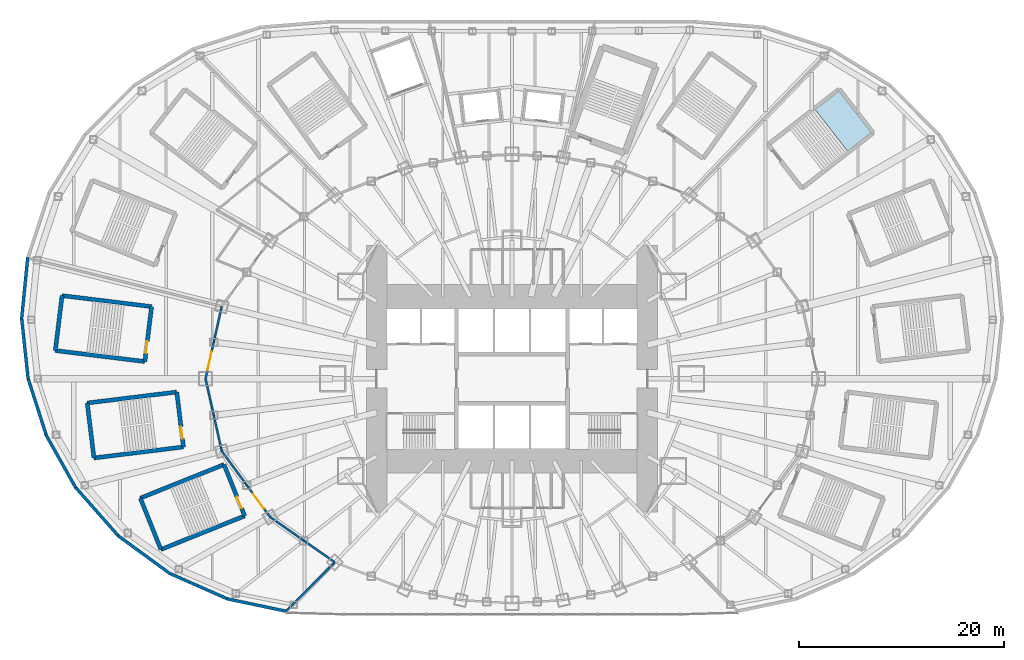
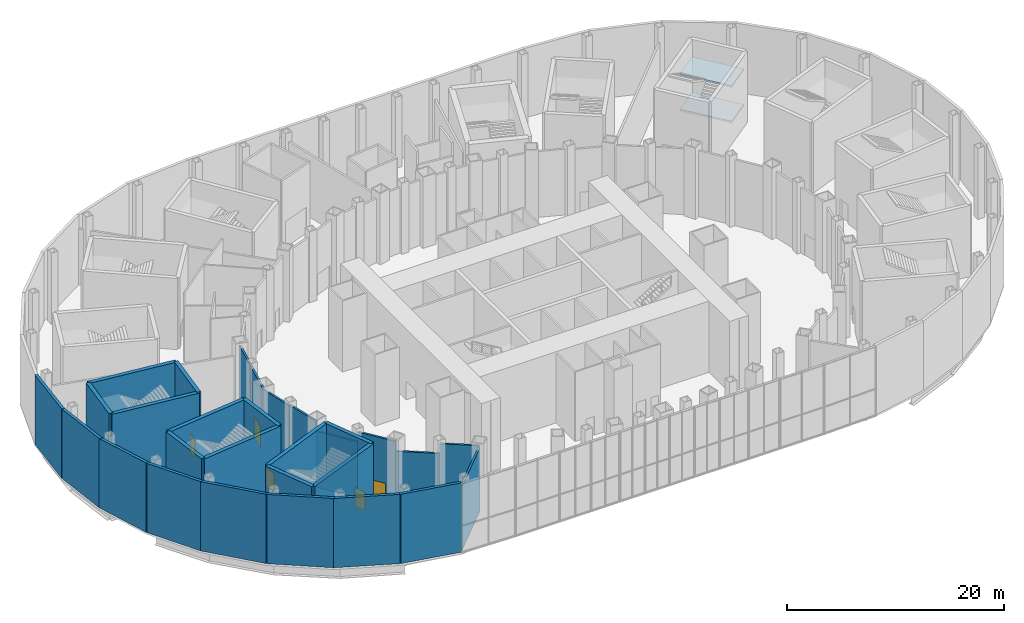
# One storey, part 13 of 74: 29 walls, 5 doors, 2 slabs, 5 openings, 1 element without a shape of its own.
"""IFC4 building model written with IfcOpenShell, lengths in metres."""

from ifc_helpers import new_model, si_unit, direction, frame, frame_2d, origin, place, context, subcontext, project, spatial, polyline, rectangle, outline, extrude, material, layer, layer_set, type_object, element, fill, aggregate, save


model = new_model("IFC4")

# Units and contexts
model_context = context("Model", 3, precision=1e-05, world=origin(), true_north=direction((0.0, 1.0)))
body_context = subcontext(model_context, "Body", "Model", "MODEL_VIEW")
ifc_project = project(units=[si_unit("LENGTHUNIT", "METRE"), si_unit("AREAUNIT", "SQUARE_METRE"), si_unit("VOLUMEUNIT", "CUBIC_METRE"), si_unit("PLANEANGLEUNIT", "RADIAN"), si_unit("MASSUNIT", "GRAM", prefix="KILO")], contexts=[model_context])

# Site, building, storey
site_placement = place(None, origin())
site = spatial("IfcSite", under=ifc_project, at=site_placement, CompositionType="ELEMENT")
building_placement = place(site_placement, origin())
building = spatial("IfcBuilding", under=site, at=building_placement, Name="Lantaw Convention Tower", CompositionType="ELEMENT")
storey_placement = place(building_placement, frame((0.0, 0.0, 6.5)))
storey = spatial("IfcBuildingStorey", under=building, at=storey_placement, Name="L01", CompositionType="ELEMENT", Elevation=6.5)

# Stair, slabs
ifc_material_1 = material(Name="Concrete C35/45", Category="concrete")
stair_type = type_object("IfcStairType", Name="Exit stair 2400 riser 166.67 in 4 flights", PredefinedType="HALF_TURN_STAIR", material=ifc_material_1)
stair_placement = place(storey_placement, origin())
stair = element("IfcStair", 1, at=stair_placement, inside=storey, type_object=stair_type, Name="Podium exit stair P3 L01", PredefinedType="HALF_TURN_STAIR")
ifc_layer_1 = layer(ifc_material_1, 0.199951171875)
ifc_layer_set_1 = layer_set([ifc_layer_1], Name="Stair landing 200")
slab_type = type_object("IfcSlabType", Name="Stair landing 200", PredefinedType="LANDING", material=ifc_layer_set_1)
slab_1_placement = place(storey_placement, frame((0.0, 0.0, 1.800048828125)))
slab_1 = element("IfcSlab", 2, at=slab_1_placement, type_object=slab_type, Name="P3 landing 2", PredefinedType="LANDING", context=body_context, shape_type="SweptSolid", body=[
    extrude(outline(polyline([(32.74072265625, 22.1943359375), (35.07080078125, 24.006591796875), (31.903076171875, 28.07958984375), (29.57275390625, 26.267333984375), (32.74072265625, 22.1943359375)])), origin(), (0.0, 0.0, 1.0), 0.199951171875),
])
slab_2_placement = place(storey_placement, frame((0.0, 0.0, 5.800048828125)))
slab_2 = element("IfcSlab", 3, at=slab_2_placement, type_object=slab_type, Name="P3 landing 4", PredefinedType="LANDING", context=body_context, shape_type="SweptSolid", body=[
    extrude(outline(polyline([(32.74072265625, 22.1943359375), (35.07080078125, 24.006591796875), (31.903076171875, 28.07958984375), (29.57275390625, 26.267333984375), (32.74072265625, 22.1943359375)])), origin(), (0.0, 0.0, 1.0), 0.199951171875),
])
aggregate(stair, [slab_1, slab_2])

# Walls
ifc_material_2 = material(Name="Precast concrete panel, pale aluminium rainscreen", Category="concrete")
ifc_layer_2 = layer(ifc_material_2, 0.300048828125)
ifc_layer_set_2 = layer_set([ifc_layer_2], Name="Podium external wall 300")
wall_type_1 = type_object("IfcWallType", Name="Podium external wall 300", PredefinedType="SOLIDWALL", material=ifc_layer_set_2)
wall_1_placement = place(storey_placement, frame((-47.256591796875, 11.845458984375, 0.0), z_axis=(0.0, 0.0, 1.0), x_axis=(-0.099051198898, -0.9950823383, 0.0)))
element("IfcWall", 4, at=wall_1_placement, inside=storey, type_object=wall_type_1, Name="Podium facade wall", PredefinedType="SOLIDWALL", context=body_context, shape_type="SweptSolid", body=[
    extrude(rectangle(XDim=6.036376953125, YDim=0.300048828125, at=frame_2d((3.01806640625, 0.0))), origin(), (0.0, 0.0, 1.0), 7.800048828125),
])
wall_2_placement = place(storey_placement, frame((-47.85498046875, 5.94921875, 0.0), z_axis=(0.0, 0.0, 1.0), x_axis=(0.105835648981, -0.99438363593, 0.0)))
element("IfcWall", 5, at=wall_2_placement, inside=storey, type_object=wall_type_1, Name="Podium facade wall", PredefinedType="SOLIDWALL", context=body_context, shape_type="SweptSolid", body=[
    extrude(rectangle(XDim=6.0068359375, YDim=0.300048828125, at=frame_2d((3.00341796875, 0.0))), origin(), (0.0, 0.0, 1.0), 7.800048828125),
])
wall_3_placement = place(storey_placement, frame((-47.241943359375, 0.083740234375, 0.0), z_axis=(0.0, 0.0, 1.0), x_axis=(0.304991367091, -0.95235511549, 0.0)))
element("IfcWall", 6, at=wall_3_placement, inside=storey, type_object=wall_type_1, Name="Podium facade wall", PredefinedType="SOLIDWALL", context=body_context, shape_type="SweptSolid", body=[
    extrude(rectangle(XDim=5.956298828125, YDim=0.300048828125, at=frame_2d((2.97802734375, 0.0))), origin(), (0.0, 0.0, 1.0), 7.800048828125),
])
wall_4_placement = place(storey_placement, frame((-45.46923828125, -5.48828125, 0.0), z_axis=(0.0, 0.0, 1.0), x_axis=(0.489563544979, -0.871967622924, 0.0)))
element("IfcWall", 7, at=wall_4_placement, inside=storey, type_object=wall_type_1, Name="Podium facade wall", PredefinedType="SOLIDWALL", context=body_context, shape_type="SweptSolid", body=[
    extrude(rectangle(XDim=5.882568359375, YDim=0.300048828125, at=frame_2d((2.94140625, 0.0))), origin(), (0.0, 0.0, 1.0), 7.800048828125),
])
wall_5_placement = place(storey_placement, frame((-42.653564453125, -10.527099609375, 0.0), z_axis=(0.0, 0.0, 1.0), x_axis=(0.661196672464, -0.75021261008, 0.0)))
element("IfcWall", 8, at=wall_5_placement, inside=storey, type_object=wall_type_1, Name="Podium facade wall", PredefinedType="SOLIDWALL", context=body_context, shape_type="SweptSolid", body=[
    extrude(rectangle(XDim=6.48095703125, YDim=0.300048828125, at=frame_2d((3.240478515625, 0.0))), origin(), (0.0, 0.0, 1.0), 7.800048828125),
])
wall_6_placement = place(storey_placement, frame((-38.451171875, -15.313720703125, 0.0), z_axis=(0.0, 0.0, 1.0), x_axis=(0.807903497184, -0.589314804868, 0.0)))
element("IfcWall", 9, at=wall_6_placement, inside=storey, type_object=wall_type_1, Name="Podium facade wall", PredefinedType="SOLIDWALL", context=body_context, shape_type="SweptSolid", body=[
    extrude(rectangle(XDim=6.30810546875, YDim=0.300048828125, at=frame_2d((3.154052734375, 0.0))), origin(), (0.0, 0.0, 1.0), 7.800048828125),
])
wall_7_placement = place(storey_placement, frame((-33.451416015625, -18.9755859375, 0.0), z_axis=(0.0, 0.0, 1.0), x_axis=(0.914840828207, -0.40381463451, 0.0)))
element("IfcWall", 10, at=wall_7_placement, inside=storey, type_object=wall_type_1, Name="Podium facade wall", PredefinedType="SOLIDWALL", context=body_context, shape_type="SweptSolid", body=[
    extrude(rectangle(XDim=6.271484375, YDim=0.300048828125, at=frame_2d((3.1357421875, 0.0))), origin(), (0.0, 0.0, 1.0), 7.800048828125),
])
wall_8_placement = place(storey_placement, frame((-27.819580078125, -21.473876953125, 0.0), z_axis=(0.0, 0.0, 1.0), x_axis=(0.978625319268, -0.205651366364, 0.0)))
element("IfcWall", 11, at=wall_8_placement, inside=storey, type_object=wall_type_1, Name="Podium facade wall", PredefinedType="SOLIDWALL", context=body_context, shape_type="SweptSolid", body=[
    extrude(rectangle(XDim=5.9619140625, YDim=0.300048828125, at=frame_2d((2.98095703125, 0.0))), origin(), (0.0, 0.0, 1.0), 7.800048828125),
])
ifc_material_3 = material(Name="Concrete blockwork", Category="masonry")
ifc_layer_3 = layer(ifc_material_3, 0.199951171875)
ifc_layer_set_3 = layer_set([ifc_layer_3], Name="Podium partition 200")
wall_type_2 = type_object("IfcWallType", Name="Podium partition 200", PredefinedType="SOLIDWALL", material=ifc_layer_set_3)
wall_9_placement = place(storey_placement, frame((-28.31787109375, 7.060302734375, 0.0), z_axis=(0.0, 0.0, 1.0), x_axis=(-0.218673326171, -0.97579812278, 0.0)))
element("IfcWall", 12, at=wall_9_placement, inside=storey, type_object=wall_type_2, Name="Podium partition 200", PredefinedType="SOLIDWALL", context=body_context, shape_type="SweptSolid", body=[
    extrude(rectangle(XDim=3.57373046875, YDim=0.199951171875, at=frame_2d((1.786865234375, 0.0))), origin(), (0.0, 0.0, 1.0), 7.396240234375),
])

# Wall, opening, door
wall_10_placement = place(storey_placement, frame((-29.099365234375, 3.572998046875, 0.0), z_axis=(0.0, 0.0, 1.0), x_axis=(-0.218631550323, -0.975807483679, 0.0)))
wall_10 = element("IfcWall", 13, at=wall_10_placement, inside=storey, type_object=wall_type_2, Name="Podium partition 200", PredefinedType="SOLIDWALL", context=body_context, shape_type="SweptSolid", body=[
    extrude(rectangle(XDim=3.66162109375, YDim=0.199951171875, at=frame_2d((1.830810546875, 0.0))), origin(), (0.0, 0.0, 1.0), 7.350341796875),
])
opening_1_placement = place(wall_10_placement, frame((0.930908203125, 0.0, 0.0)))
opening_1 = element("IfcOpeningElement", 14, at=opening_1_placement, cuts=wall_10, Name="Opening L01.21", PredefinedType="OPENING", context=body_context, shape_type="SweptSolid", body=[
    extrude(rectangle(XDim=1.800048828125, YDim=2.39990234375, at=frame_2d((0.89990234375, 1.199951171875))), frame((0.0, 0.10986328125, 0.0), z_axis=(0.0, -1.0, 0.0), x_axis=(1.0, 0.0, 0.0)), (0.0, 0.0, 1.0), 0.219970703125),
])
ifc_material_4 = material(Name="Timber", Category="wood")
door_type_1 = type_object("IfcDoorType", Name="Hall double door 1800", OperationType="DOUBLE_DOOR_DOUBLE_SWING", PredefinedType="DOOR", material=ifc_material_4)
door_1_placement = place(opening_1_placement, origin())
door_1 = element("IfcDoor", 15, at=door_1_placement, inside=storey, type_object=door_type_1, Name="Exhibition hall B door", OperationType="DOUBLE_DOOR_DOUBLE_SWING", OverallHeight=2.39990234375, OverallWidth=1.800048828125, PredefinedType="DOOR", context=body_context, shape_type="SweptSolid", body=[
    extrude(rectangle(XDim=1.800048828125, YDim=2.39990234375, at=frame_2d((0.89990234375, 1.199951171875))), frame((0.0, 0.02490234375, 0.0), z_axis=(0.0, -1.0, 0.0), x_axis=(1.0, 0.0, 0.0)), (0.0, 0.0, 1.0), 0.050048828125),
])
fill(opening_1, door_1)

# Walls
wall_11_placement = place(storey_placement, frame((-29.89990234375, 0.0, 0.0), z_axis=(0.0, 0.0, 1.0), x_axis=(0.218631550323, -0.975807483679, 0.0)))
element("IfcWall", 16, at=wall_11_placement, inside=storey, type_object=wall_type_2, Name="Podium partition 200", PredefinedType="SOLIDWALL", context=body_context, shape_type="SweptSolid", body=[
    extrude(rectangle(XDim=3.66162109375, YDim=0.199951171875, at=frame_2d((1.830810546875, 0.0))), origin(), (0.0, 0.0, 1.0), 7.271728515625),
])
wall_12_placement = place(storey_placement, frame((-29.099365234375, -3.572998046875, 0.0), z_axis=(0.0, 0.0, 1.0), x_axis=(0.218673326171, -0.97579812278, 0.0)))
element("IfcWall", 17, at=wall_12_placement, inside=storey, type_object=wall_type_2, Name="Podium partition 200", PredefinedType="SOLIDWALL", context=body_context, shape_type="SweptSolid", body=[
    extrude(rectangle(XDim=3.57373046875, YDim=0.199951171875, at=frame_2d((1.786865234375, 0.0))), origin(), (0.0, 0.0, 1.0), 7.396240234375),
])
wall_13_placement = place(storey_placement, frame((-28.31787109375, -7.060302734375, 0.0), z_axis=(0.0, 0.0, 1.0), x_axis=(0.591255937291, -0.806483984105, 0.0)))
element("IfcWall", 18, at=wall_13_placement, inside=storey, type_object=wall_type_2, Name="Podium partition 200", PredefinedType="SOLIDWALL", context=body_context, shape_type="SweptSolid", body=[
    extrude(rectangle(XDim=4.126708984375, YDim=0.199951171875, at=frame_2d((2.0634765625, 0.0))), origin(), (0.0, 0.0, 1.0), 6.300048828125),
])

# Wall, opening, door
wall_14_placement = place(storey_placement, frame((-25.8779296875, -10.388427734375, 0.0), z_axis=(0.0, 0.0, 1.0), x_axis=(0.591286566758, -0.806461527893, 0.0)))
wall_14 = element("IfcWall", 19, at=wall_14_placement, inside=storey, type_object=wall_type_2, Name="Podium partition 200", PredefinedType="SOLIDWALL", context=body_context, shape_type="SweptSolid", body=[
    extrude(rectangle(XDim=3.843994140625, YDim=0.199951171875, at=frame_2d((1.921875, 0.0))), origin(), (0.0, 0.0, 1.0), 7.396240234375),
])
opening_2_placement = place(wall_14_placement, frame((1.02197265625, 0.0, 0.0)))
opening_2 = element("IfcOpeningElement", 20, at=opening_2_placement, cuts=wall_14, Name="Opening L01.20", PredefinedType="OPENING", context=body_context, shape_type="SweptSolid", body=[
    extrude(rectangle(XDim=1.800048828125, YDim=2.39990234375, at=frame_2d((0.89990234375, 1.199951171875))), frame((0.0, 0.10986328125, 0.0), z_axis=(0.0, -1.0, 0.0), x_axis=(1.0, 0.0, 0.0)), (0.0, 0.0, 1.0), 0.219970703125),
])
door_2_placement = place(opening_2_placement, origin())
door_2 = element("IfcDoor", 21, at=door_2_placement, inside=storey, type_object=door_type_1, Name="Exhibition hall B door", OperationType="DOUBLE_DOOR_DOUBLE_SWING", OverallHeight=2.39990234375, OverallWidth=1.800048828125, PredefinedType="DOOR", context=body_context, shape_type="SweptSolid", body=[
    extrude(rectangle(XDim=1.800048828125, YDim=2.39990234375, at=frame_2d((0.89990234375, 1.199951171875))), frame((0.0, 0.02490234375, 0.0), z_axis=(0.0, -1.0, 0.0), x_axis=(1.0, 0.0, 0.0)), (0.0, 0.0, 1.0), 0.050048828125),
])
fill(opening_2, door_2)

# Walls
wall_15_placement = place(storey_placement, frame((-23.60498046875, -13.488525390625, 0.0), z_axis=(0.0, 0.0, 1.0), x_axis=(0.819442856133, -0.573160889744, 0.0)))
element("IfcWall", 22, at=wall_15_placement, inside=storey, type_object=wall_type_2, Name="Podium partition 200", PredefinedType="SOLIDWALL", context=body_context, shape_type="SweptSolid", body=[
    extrude(rectangle(XDim=4.022705078125, YDim=0.199951171875, at=frame_2d((2.01123046875, 0.0))), origin(), (0.0, 0.0, 1.0), 6.300048828125),
])
wall_16_placement = place(storey_placement, frame((-20.30859375, -15.794189453125, 0.0), z_axis=(0.0, 0.0, 1.0), x_axis=(0.819409395821, -0.573208724672, 0.0)))
element("IfcWall", 23, at=wall_16_placement, inside=storey, type_object=wall_type_2, Name="Podium partition 200", PredefinedType="SOLIDWALL", context=body_context, shape_type="SweptSolid", body=[
    extrude(rectangle(XDim=3.682861328125, YDim=0.199951171875, at=frame_2d((1.84130859375, 0.0))), origin(), (0.0, 0.0, 1.0), 7.396240234375),
])
wall_17_placement = place(storey_placement, frame((-17.290771484375, -17.9052734375, 0.0), z_axis=(0.0, 0.0, 1.0), x_axis=(-0.704348079756, -0.709854761585, 0.0)))
element("IfcWall", 24, at=wall_17_placement, inside=storey, type_object=wall_type_2, Name="Podium partition 200", PredefinedType="SOLIDWALL", context=body_context, shape_type="SweptSolid", body=[
    extrude(rectangle(XDim=6.739013671875, YDim=0.199951171875, at=frame_2d((3.36962890625, 0.0))), origin(), (0.0, 0.0, 1.0), 7.197998046875),
])
ifc_material_5 = material(Name="Concrete C40/50, stair core", Category="concrete")
ifc_layer_4 = layer(ifc_material_5, 0.39990234375)
ifc_layer_set_4 = layer_set([ifc_layer_4], Name="Stair enclosure wall 400 EI 120")
wall_type_3 = type_object("IfcWallType", Name="Stair enclosure wall 400 EI 120", PredefinedType="SHEAR", material=ifc_layer_set_4)
wall_18_placement = place(storey_placement, frame((-35.164794921875, 7.037841796875, 0.0), z_axis=(0.0, 0.0, 1.0), x_axis=(-0.992545280606, 0.121876437212, 0.0)))
element("IfcWall", 25, at=wall_18_placement, inside=storey, type_object=wall_type_3, Name="Stair enclosure wall", PredefinedType="SHEAR", context=body_context, shape_type="SweptSolid", body=[
    extrude(rectangle(XDim=8.800048828125, YDim=0.39990234375, at=frame_2d((4.39990234375, 0.0))), origin(), (0.0, 0.0, 1.0), 8.0),
])
wall_19_placement = place(storey_placement, frame((-43.899169921875, 8.1103515625, 0.0), z_axis=(0.0, 0.0, 1.0), x_axis=(-0.12184754212, -0.99254882826, 0.0)))
element("IfcWall", 26, at=wall_19_placement, inside=storey, type_object=wall_type_3, Name="Stair enclosure wall", PredefinedType="SHEAR", context=body_context, shape_type="SweptSolid", body=[
    extrude(rectangle(XDim=5.39990234375, YDim=0.39990234375, at=frame_2d((2.699951171875, 0.0))), origin(), (0.0, 0.0, 1.0), 8.0),
])
wall_20_placement = place(storey_placement, frame((-44.55712890625, 2.750732421875, 0.0), z_axis=(0.0, 0.0, 1.0), x_axis=(0.992545280606, -0.121876437212, 0.0)))
element("IfcWall", 27, at=wall_20_placement, inside=storey, type_object=wall_type_3, Name="Stair enclosure wall", PredefinedType="SHEAR", context=body_context, shape_type="SweptSolid", body=[
    extrude(rectangle(XDim=8.800048828125, YDim=0.39990234375, at=frame_2d((4.39990234375, 0.0))), origin(), (0.0, 0.0, 1.0), 8.0),
])

# Wall, opening, door
wall_21_placement = place(storey_placement, frame((-35.82275390625, 1.67822265625, 0.0), z_axis=(0.0, 0.0, 1.0), x_axis=(0.12184754212, 0.99254882826, 0.0)))
wall_21 = element("IfcWall", 28, at=wall_21_placement, inside=storey, type_object=wall_type_3, Name="Stair enclosure wall", PredefinedType="SHEAR", context=body_context, shape_type="SweptSolid", body=[
    extrude(rectangle(XDim=5.39990234375, YDim=0.39990234375, at=frame_2d((2.699951171875, 0.0))), origin(), (0.0, 0.0, 1.0), 8.0),
])
opening_3_placement = place(wall_21_placement, frame((0.800048828125, 0.0, 0.0)))
opening_3 = element("IfcOpeningElement", 29, at=opening_3_placement, cuts=wall_21, Name="Opening L01.P9", PredefinedType="OPENING", context=body_context, shape_type="SweptSolid", body=[
    extrude(rectangle(XDim=1.199951171875, YDim=2.10009765625, at=frame_2d((0.60009765625, 1.050048828125))), frame((0.0, 0.2099609375, 0.0), z_axis=(0.0, -1.0, 0.0), x_axis=(1.0, 0.0, 0.0)), (0.0, 0.0, 1.0), 0.419921875),
])
ifc_material_6 = material(Name="Steel, fire rated", Category="steel")
door_type_2 = type_object("IfcDoorType", Name="Stair door FD90", OperationType="SINGLE_SWING_RIGHT", PredefinedType="DOOR", material=ifc_material_6)
door_3_placement = place(opening_3_placement, origin())
door_3 = element("IfcDoor", 30, at=door_3_placement, inside=storey, type_object=door_type_2, Name="Exit stair door", OperationType="SINGLE_SWING_RIGHT", OverallHeight=2.10009765625, OverallWidth=1.199951171875, PredefinedType="DOOR", context=body_context, shape_type="SweptSolid", body=[
    extrude(rectangle(XDim=1.199951171875, YDim=2.10009765625, at=frame_2d((0.60009765625, 1.050048828125))), frame((0.0, 0.02490234375, 0.0), z_axis=(0.0, -1.0, 0.0), x_axis=(1.0, 0.0, 0.0)), (0.0, 0.0, 1.0), 0.050048828125),
])
fill(opening_3, door_3)

# Walls
wall_22_placement = place(storey_placement, frame((-32.70849609375, -1.2958984375, 0.0), z_axis=(0.0, 0.0, 1.0), x_axis=(-0.992545692684, -0.121873081252, 0.0)))
element("IfcWall", 31, at=wall_22_placement, inside=storey, type_object=wall_type_3, Name="Stair enclosure wall", PredefinedType="SHEAR", context=body_context, shape_type="SweptSolid", body=[
    extrude(rectangle(XDim=8.80029296875, YDim=0.39990234375, at=frame_2d((4.400146484375, 0.0))), origin(), (0.0, 0.0, 1.0), 8.0),
])
wall_23_placement = place(storey_placement, frame((-41.443115234375, -2.368408203125, 0.0), z_axis=(0.0, 0.0, 1.0), x_axis=(0.121892082937, -0.992543359314, 0.0)))
element("IfcWall", 32, at=wall_23_placement, inside=storey, type_object=wall_type_3, Name="Stair enclosure wall", PredefinedType="SHEAR", context=body_context, shape_type="SweptSolid", body=[
    extrude(rectangle(XDim=5.39990234375, YDim=0.39990234375, at=frame_2d((2.699951171875, 0.0))), origin(), (0.0, 0.0, 1.0), 8.0),
])
wall_24_placement = place(storey_placement, frame((-40.784912109375, -7.72802734375, 0.0), z_axis=(0.0, 0.0, 1.0), x_axis=(0.992545280606, 0.121876437212, 0.0)))
element("IfcWall", 33, at=wall_24_placement, inside=storey, type_object=wall_type_3, Name="Stair enclosure wall", PredefinedType="SHEAR", context=body_context, shape_type="SweptSolid", body=[
    extrude(rectangle(XDim=8.800048828125, YDim=0.39990234375, at=frame_2d((4.39990234375, 0.0))), origin(), (0.0, 0.0, 1.0), 8.0),
])

# Wall, opening, door
wall_25_placement = place(storey_placement, frame((-32.050537109375, -6.655517578125, 0.0), z_axis=(0.0, 0.0, 1.0), x_axis=(-0.12184754212, 0.99254882826, 0.0)))
wall_25 = element("IfcWall", 34, at=wall_25_placement, inside=storey, type_object=wall_type_3, Name="Stair enclosure wall", PredefinedType="SHEAR", context=body_context, shape_type="SweptSolid", body=[
    extrude(rectangle(XDim=5.39990234375, YDim=0.39990234375, at=frame_2d((2.699951171875, 0.0))), origin(), (0.0, 0.0, 1.0), 8.0),
])
opening_4_placement = place(wall_25_placement, frame((0.800048828125, 0.0, 0.0)))
opening_4 = element("IfcOpeningElement", 35, at=opening_4_placement, cuts=wall_25, Name="Opening L01.P10", PredefinedType="OPENING", context=body_context, shape_type="SweptSolid", body=[
    extrude(rectangle(XDim=1.199951171875, YDim=2.10009765625, at=frame_2d((0.60009765625, 1.050048828125))), frame((0.0, 0.2099609375, 0.0), z_axis=(0.0, -1.0, 0.0), x_axis=(1.0, 0.0, 0.0)), (0.0, 0.0, 1.0), 0.419921875),
])
door_4_placement = place(opening_4_placement, origin())
door_4 = element("IfcDoor", 36, at=door_4_placement, inside=storey, type_object=door_type_2, Name="Exit stair door", OperationType="SINGLE_SWING_RIGHT", OverallHeight=2.10009765625, OverallWidth=1.199951171875, PredefinedType="DOOR", context=body_context, shape_type="SweptSolid", body=[
    extrude(rectangle(XDim=1.199951171875, YDim=2.10009765625, at=frame_2d((0.60009765625, 1.050048828125))), frame((0.0, 0.02490234375, 0.0), z_axis=(0.0, -1.0, 0.0), x_axis=(1.0, 0.0, 0.0)), (0.0, 0.0, 1.0), 0.050048828125),
])
fill(opening_4, door_4)

# Walls
wall_26_placement = place(storey_placement, frame((-28.0986328125, -8.37060546875, 0.0), z_axis=(0.0, 0.0, 1.0), x_axis=(-0.92801678004, -0.372538395288, 0.0)))
element("IfcWall", 37, at=wall_26_placement, inside=storey, type_object=wall_type_3, Name="Stair enclosure wall", PredefinedType="SHEAR", context=body_context, shape_type="SweptSolid", body=[
    extrude(rectangle(XDim=8.800048828125, YDim=0.39990234375, at=frame_2d((4.39990234375, 0.0))), origin(), (0.0, 0.0, 1.0), 8.0),
])
wall_27_placement = place(storey_placement, frame((-36.26513671875, -11.64892578125, 0.0), z_axis=(0.0, 0.0, 1.0), x_axis=(0.372544066459, -0.928014503414, 0.0)))
element("IfcWall", 38, at=wall_27_placement, inside=storey, type_object=wall_type_3, Name="Stair enclosure wall", PredefinedType="SHEAR", context=body_context, shape_type="SweptSolid", body=[
    extrude(rectangle(XDim=5.39990234375, YDim=0.39990234375, at=frame_2d((2.699951171875, 0.0))), origin(), (0.0, 0.0, 1.0), 8.0),
])
wall_28_placement = place(storey_placement, frame((-34.25341796875, -16.66015625, 0.0), z_axis=(0.0, 0.0, 1.0), x_axis=(0.92801678004, 0.372538395288, 0.0)))
element("IfcWall", 39, at=wall_28_placement, inside=storey, type_object=wall_type_3, Name="Stair enclosure wall", PredefinedType="SHEAR", context=body_context, shape_type="SweptSolid", body=[
    extrude(rectangle(XDim=8.800048828125, YDim=0.39990234375, at=frame_2d((4.39990234375, 0.0))), origin(), (0.0, 0.0, 1.0), 8.0),
])

# Wall, opening, door
wall_29_placement = place(storey_placement, frame((-26.0869140625, -13.3818359375, 0.0), z_axis=(0.0, 0.0, 1.0), x_axis=(-0.372544066459, 0.928014503414, 0.0)))
wall_29 = element("IfcWall", 40, at=wall_29_placement, inside=storey, type_object=wall_type_3, Name="Stair enclosure wall", PredefinedType="SHEAR", context=body_context, shape_type="SweptSolid", body=[
    extrude(rectangle(XDim=5.39990234375, YDim=0.39990234375, at=frame_2d((2.699951171875, 0.0))), origin(), (0.0, 0.0, 1.0), 8.0),
])
opening_5_placement = place(wall_29_placement, frame((0.800048828125, 0.0, 0.0)))
opening_5 = element("IfcOpeningElement", 41, at=opening_5_placement, cuts=wall_29, Name="Opening L01.P11", PredefinedType="OPENING", context=body_context, shape_type="SweptSolid", body=[
    extrude(rectangle(XDim=1.199951171875, YDim=2.10009765625, at=frame_2d((0.60009765625, 1.050048828125))), frame((0.0, 0.2099609375, 0.0), z_axis=(0.0, -1.0, 0.0), x_axis=(1.0, 0.0, 0.0)), (0.0, 0.0, 1.0), 0.419921875),
])
door_5_placement = place(opening_5_placement, origin())
door_5 = element("IfcDoor", 42, at=door_5_placement, inside=storey, type_object=door_type_2, Name="Exit stair door", OperationType="SINGLE_SWING_RIGHT", OverallHeight=2.10009765625, OverallWidth=1.199951171875, PredefinedType="DOOR", context=body_context, shape_type="SweptSolid", body=[
    extrude(rectangle(XDim=1.199951171875, YDim=2.10009765625, at=frame_2d((0.60009765625, 1.050048828125))), frame((0.0, 0.02490234375, 0.0), z_axis=(0.0, -1.0, 0.0), x_axis=(1.0, 0.0, 0.0)), (0.0, 0.0, 1.0), 0.050048828125),
])
fill(opening_5, door_5)

save(model, "model.ifc")
